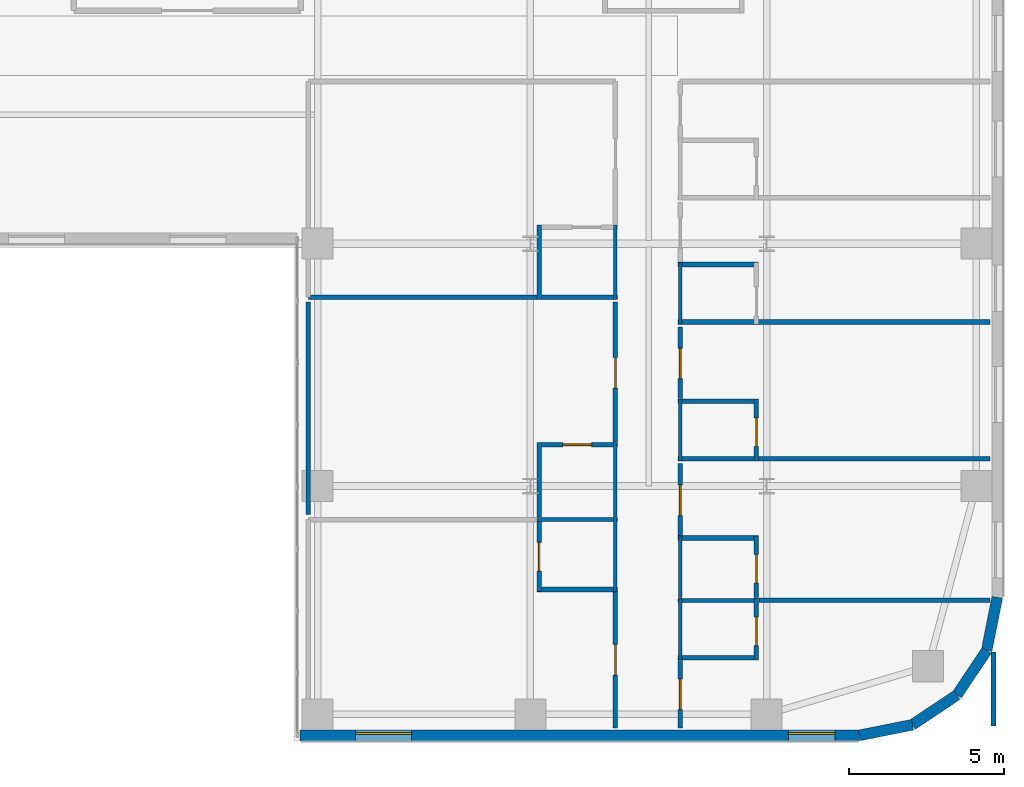
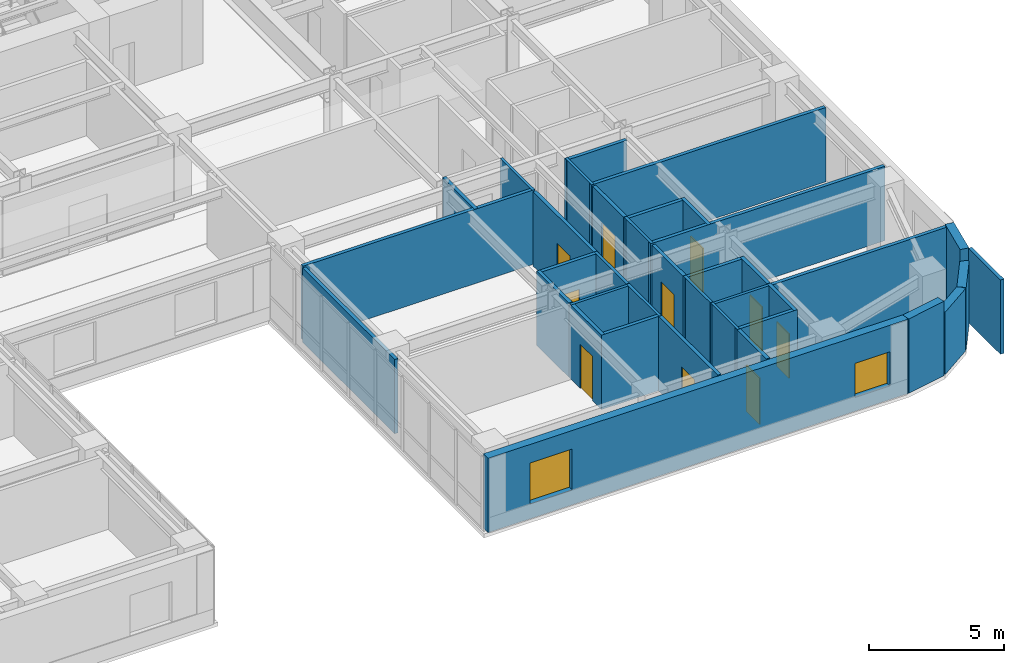
# One storey, part 16 of 25: 37 walls, 10 doors, 2 windows, 12 openings.
"""IFC4 building model written with IfcOpenShell, lengths in metres."""

import ifcopenshell
import ifcopenshell.guid

model = None  # the IFC model being written
_history = None  # IfcOwnerHistory: only IFC2X3 demands one
_inside = {}  # id of a spatial element -> (the spatial element, [elements in it])
_under = {}  # id of a project, library or spatial element -> (it, [spatial elements below it])
_declared = {}  # id of a project -> (the project, [libraries it declares])
_typed = {}  # id of a type object -> (the type object, [elements of that type])
_made_of = {}  # id of a material, layer set ... -> (it, [elements and type objects made of it])


def new_model(schema):
    """Start an empty IFC model of exactly this schema.

    Asked for "IFC4X3", IfcOpenShell would pick the latest addendum, in which some entities
    have other attributes; the version numbers below select the first issue.
    IFC2X3 requires an IfcOwnerHistory on every rooted entity: one is made here for all.
    """
    global model, _history
    if schema == "IFC4X3":
        model = ifcopenshell.file(schema_version=(4, 3, 0, 0))
    else:
        model = ifcopenshell.file(schema=schema)
    _inside.clear()
    _under.clear()
    _declared.clear()
    _typed.clear()
    _made_of.clear()
    _history = None
    if model.schema == "IFC2X3":
        org = make("IfcOrganization", Name="unknown")
        user = make(
            "IfcPersonAndOrganization",
            ThePerson=make("IfcPerson", FamilyName="unknown"),
            TheOrganization=org,
        )
        app = make(
            "IfcApplication",
            ApplicationDeveloper=org,
            Version="unknown",
            ApplicationFullName="unknown",
            ApplicationIdentifier="unknown",
        )
        _history = make(
            "IfcOwnerHistory",
            OwningUser=user,
            OwningApplication=app,
            ChangeAction="ADDED",
            CreationDate=0,
        )
    return model


def make(cls, **values):
    """One entity of the class cls with the attributes given. An attribute that is None is left unset."""
    return model.create_entity(
        cls, **{name: value for name, value in values.items() if value is not None}
    )


def rooted(cls, **values):
    """An entity with a GlobalId (a new one), such as an element, a storey or a relation."""
    return make(cls, GlobalId=ifcopenshell.guid.new(), OwnerHistory=_history, **values)


def si_unit(unit_type, name, prefix=None):
    """IfcSIUnit, for example si_unit("LENGTHUNIT", "METRE", prefix="MILLI")."""
    return make("IfcSIUnit", UnitType=unit_type, Prefix=prefix, Name=name)


def assignment(units):
    """IfcUnitAssignment: the units of a project."""
    return None if units is None else make("IfcUnitAssignment", Units=units)


def point(xyz):
    """IfcCartesianPoint."""
    return None if xyz is None else make("IfcCartesianPoint", Coordinates=xyz)


def direction(xyz):
    """IfcDirection."""
    return None if xyz is None else make("IfcDirection", DirectionRatios=xyz)


def frame(location, z_axis=None, x_axis=None):
    """IfcAxis2Placement3D, a coordinate frame: its origin and axes. An axis left out is left unset."""
    return make(
        "IfcAxis2Placement3D",
        Location=point(location),
        Axis=direction(z_axis),
        RefDirection=direction(x_axis),
    )


def frame_2d(location, x_axis=None):
    """IfcAxis2Placement2D, a coordinate frame in the plane: its origin and x axis."""
    return make(
        "IfcAxis2Placement2D", Location=point(location), RefDirection=direction(x_axis)
    )


def origin():
    """The frame at (0, 0, 0) with its axes left unset."""
    return frame((0.0, 0.0, 0.0))


def place(relative_to, where):
    """IfcLocalPlacement: puts the frame where relative to a parent placement (None: the world)."""
    return make(
        "IfcLocalPlacement", PlacementRelTo=relative_to, RelativePlacement=where
    )


def context(
    kind, dimensions, precision=None, world=None, true_north=None, identifier=None
):
    """IfcGeometricRepresentationContext, for example the 3D "Model" context."""
    return make(
        "IfcGeometricRepresentationContext",
        ContextIdentifier=identifier,
        ContextType=kind,
        CoordinateSpaceDimension=dimensions,
        Precision=precision,
        WorldCoordinateSystem=world,
        TrueNorth=true_north,
    )


def subcontext(parent, identifier, kind, view, scale=None):
    """IfcGeometricRepresentationSubContext, for example "Body" below "Model"."""
    return make(
        "IfcGeometricRepresentationSubContext",
        ContextIdentifier=identifier,
        ContextType=kind,
        ParentContext=parent,
        TargetScale=scale,
        TargetView=view,
    )


def project(units=None, contexts=None):
    """IfcProject with its units and contexts."""
    return rooted(
        "IfcProject",
        Name="project",
        RepresentationContexts=contexts,
        UnitsInContext=assignment(units),
    )


def spatial(cls, under=None, at=None, **own):
    """A site, building, storey or space (cls), placed at a placement, below another one or the project."""
    s = rooted(cls, ObjectPlacement=at, **own)
    if under is not None:
        _under.setdefault(under.id(), (under, []))[1].append(s)
    return s


def profile(cls, at=None, kind="AREA", **sizes):
    """A parametric profile (cls). Its sizes go by their IFC names, for example OverallWidth=200.0."""
    return make(cls, ProfileType=kind, Position=at, **sizes)


def rectangle(**sizes):
    """IfcRectangleProfileDef."""
    return profile("IfcRectangleProfileDef", **sizes)


def extrude(swept, where, along, depth):
    """IfcExtrudedAreaSolid: the profile swept, set in the frame where, extruded along a direction by depth."""
    return make(
        "IfcExtrudedAreaSolid",
        SweptArea=swept,
        Position=where,
        ExtrudedDirection=direction(along),
        Depth=depth,
    )


def shape(context_of_items, identifier, shape_type, items):
    """IfcShapeRepresentation: the items that make up one representation, for example the "Body"."""
    return make(
        "IfcShapeRepresentation",
        ContextOfItems=context_of_items,
        RepresentationIdentifier=identifier,
        RepresentationType=shape_type,
        Items=items,
    )


def source(mapping_origin, context_of_items, identifier, shape_type, items):
    """IfcRepresentationMap: a shape defined once, which mapped items show again and again."""
    return make(
        "IfcRepresentationMap",
        MappingOrigin=mapping_origin,
        MappedRepresentation=shape(context_of_items, identifier, shape_type, items),
    )


def transform(
    local_origin,
    x_axis=None,
    y_axis=None,
    z_axis=None,
    scale=None,
    scale2=None,
    scale3=None,
    uniform=True,
):
    """IfcCartesianTransformationOperator3D, or its non-uniform kind. x_axis, y_axis, z_axis: its Axis1, 2, 3."""
    if uniform:
        return make(
            "IfcCartesianTransformationOperator3D",
            Axis1=direction(x_axis),
            Axis2=direction(y_axis),
            LocalOrigin=point(local_origin),
            Scale=scale,
            Axis3=direction(z_axis),
        )
    return make(
        "IfcCartesianTransformationOperator3DnonUniform",
        Axis1=direction(x_axis),
        Axis2=direction(y_axis),
        LocalOrigin=point(local_origin),
        Scale=scale,
        Axis3=direction(z_axis),
        Scale2=scale2,
        Scale3=scale3,
    )


def mapped(mapping_source, mapping_target):
    """IfcMappedItem: shows the shape of a source again, moved by a transform."""
    return make(
        "IfcMappedItem", MappingSource=mapping_source, MappingTarget=mapping_target
    )


def material(Name=None, Category=None):
    """IfcMaterial."""
    return make("IfcMaterial", Name=Name, Category=Category)


def layer(
    of_material, thickness, ventilated=None, Name=None, Category=None, Priority=None
):
    """IfcMaterialLayer: one layer of a wall or slab, of a material (None: an air gap)."""
    return make(
        "IfcMaterialLayer",
        Material=of_material,
        LayerThickness=thickness,
        IsVentilated=ventilated,
        Name=Name,
        Category=Category,
        Priority=Priority,
    )


def layer_set(layers, Name=None):
    """IfcMaterialLayerSet."""
    return make("IfcMaterialLayerSet", MaterialLayers=layers, LayerSetName=Name)


def made_of(thing, what):
    """Note that an element or type object is made of a material, layer set ...; save() writes the relation."""
    if what is not None:
        _made_of.setdefault(what.id(), (what, []))[1].append(thing)
    return thing


def type_object(cls, material=None, **own):
    """A type object (cls), such as IfcWallType, which elements share."""
    return made_of(rooted(cls, **own), material)


def type_shapes(of_type, sources):
    """Give a type object the sources (RepresentationMaps) that its elements show as mapped items."""
    of_type.RepresentationMaps = sources


def element(
    cls,
    number,
    at=None,
    inside=None,
    cuts=None,
    type_object=None,
    material=None,
    context=None,
    identifier="Body",
    shape_type=None,
    held_by="IfcProductDefinitionShape",
    body=None,
    shapes=None,
    **own,
):
    """One element of the class cls, such as IfcWall. Its Tag is "e" and its number.

    at: its placement. inside: the storey or other place that contains it. cuts: it is an
    opening in that element (IfcRelVoidsElement). A single representation is given by context,
    identifier, shape_type and body (its items); several are given by shapes. held_by: the class
    of the entity that holds the representations. save() writes the other relations.
    """
    e = rooted(cls, Tag="e%d" % number, ObjectPlacement=at, **own)
    if body is not None:
        shapes = [shape(context, identifier, shape_type, body)]
    if shapes is not None:
        e.Representation = make(held_by, Representations=shapes)
    if inside is not None:
        _inside.setdefault(inside.id(), (inside, []))[1].append(e)
    if cuts is not None:
        rooted(
            "IfcRelVoidsElement", RelatingBuildingElement=cuts, RelatedOpeningElement=e
        )
    if type_object is not None:
        _typed.setdefault(type_object.id(), (type_object, []))[1].append(e)
    return made_of(e, material)


def fill(opening, filler):
    """IfcRelFillsElement: the door or window that sits in an opening."""
    return rooted(
        "IfcRelFillsElement",
        RelatingOpeningElement=opening,
        RelatedBuildingElement=filler,
    )


def aggregate(whole, parts):
    """IfcRelAggregates: a whole, such as a stair, and the parts it consists of."""
    return rooted("IfcRelAggregates", RelatingObject=whole, RelatedObjects=parts)


def save(model, path):
    """Write the relations noted so far, then the file.

    IfcRelAggregates (storeys below a building ...), IfcRelContainedInSpatialStructure (elements
    in a storey), IfcRelDefinesByType, IfcRelAssociatesMaterial and IfcRelDeclares: one each for
    every whole, place, type object, material and project.
    """
    for whole, parts in _under.values():
        aggregate(whole, parts)
    for where, things in _inside.values():
        rooted(
            "IfcRelContainedInSpatialStructure",
            RelatedElements=things,
            RelatingStructure=where,
        )
    for kind, things in _typed.values():
        rooted("IfcRelDefinesByType", RelatedObjects=things, RelatingType=kind)
    for what, things in _made_of.values():
        rooted("IfcRelAssociatesMaterial", RelatedObjects=things, RelatingMaterial=what)
    for by, libraries in _declared.values():
        rooted("IfcRelDeclares", RelatingContext=by, RelatedDefinitions=libraries)
    model.write(path)


model = new_model("IFC4")

# Units and contexts
model_context = context("Model", 3, precision=1e-05, world=origin(), true_north=direction((0.0, 1.0)))
body_context = subcontext(model_context, "Body", "Model", "MODEL_VIEW")
ifc_project = project(units=[si_unit("LENGTHUNIT", "METRE"), si_unit("AREAUNIT", "SQUARE_METRE"), si_unit("VOLUMEUNIT", "CUBIC_METRE"), si_unit("PLANEANGLEUNIT", "RADIAN"), si_unit("MASSUNIT", "GRAM", prefix="KILO")], contexts=[model_context])

# Site, building, storey
site_placement = place(None, origin())
site = spatial("IfcSite", under=ifc_project, at=site_placement, CompositionType="ELEMENT")
building_placement = place(site_placement, origin())
building = spatial("IfcBuilding", under=site, at=building_placement, Name="Tolvann Quenvar Hotel", CompositionType="ELEMENT")
storey_placement = place(building_placement, frame((0.0, 0.0, 39.10009765625)))
storey = spatial("IfcBuildingStorey", under=building, at=storey_placement, Name="L08", CompositionType="ELEMENT", Elevation=39.10009765625)

# Wall, openings, windows
ifc_material_1 = material(Name="Kiln-fired red and buff architectural clay brickwork and terracotta masonry", Category="masonry")
ifc_layer_1 = layer(ifc_material_1, 0.35009765625)
ifc_layer_set_1 = layer_set([ifc_layer_1], Name="Kiln-fired red and buff architectural clay brickwork and terracotta masonry")
wall_type_1 = type_object("IfcWallType", Name="WALL_EXT_BRICK_350", PredefinedType="SOLIDWALL", material=ifc_layer_set_1)
wall_1_placement = place(storey_placement, frame((34.375, 0.175048828125, 0.0), z_axis=(0.0, 0.0, 1.0), x_axis=(1.0, 0.0, 0.0)))
wall_1 = element("IfcWall", 1, at=wall_1_placement, inside=storey, type_object=wall_type_1, Name="Exterior Chicago Brick Wall L08-E08", PredefinedType="SOLIDWALL", context=body_context, shape_type="SweptSolid", body=[
    extrude(rectangle(XDim=18.0078125, YDim=0.35009765625, at=frame_2d((9.00390625, 0.0))), origin(), (0.0, 0.0, 1.0), 3.369873046875),
])
opening_1_placement = place(wall_1_placement, frame((1.801025390625, 0.0, 0.679931640625)))
opening_1 = element("IfcOpeningElement", 2, at=opening_1_placement, cuts=wall_1, Name="Opening W-03", PredefinedType="OPENING", context=body_context, shape_type="SweptSolid", body=[
    extrude(rectangle(XDim=1.800048828125, YDim=1.85009765625, at=frame_2d((0.89990234375, 0.925048828125))), frame((0.0, 0.18505859375, 0.0), z_axis=(0.0, -1.0, 0.0), x_axis=(1.0, 0.0, 0.0)), (0.0, 0.0, 1.0), 0.3701171875),
])
opening_2_placement = place(wall_1_placement, frame((15.72509765625, 0.0, 0.6201171875)))
opening_2 = element("IfcOpeningElement", 3, at=opening_2_placement, cuts=wall_1, Name="Opening W-08", PredefinedType="OPENING", context=body_context, shape_type="SweptSolid", body=[
    extrude(rectangle(XDim=1.5, YDim=1.550048828125, at=frame_2d((0.75, 0.77490234375))), frame((0.0, 0.18505859375, 0.0), z_axis=(0.0, -1.0, 0.0), x_axis=(1.0, 0.0, 0.0)), (0.0, 0.0, 1.0), 0.3701171875),
])
ifc_material_2 = material(Name="Thermally broken bronze-anodised aluminium frame with double low-E glazing", Category="aluminium")
window_type_1 = type_object("IfcWindowType", Name="WIN_COR_1500x2050", PartitioningType="SINGLE_PANEL", PredefinedType="WINDOW", material=ifc_material_2)
shared_shape_1 = source(origin(), body_context, "Body", "SweptSolid", [
    extrude(rectangle(XDim=1.5, YDim=1.550048828125, at=frame_2d((0.75, 0.77490234375))), frame((0.0, 0.090087890625, 0.0), z_axis=(0.0, -1.0, 0.0), x_axis=(1.0, 0.0, 0.0)), (0.0, 0.0, 1.0), 0.06005859375),
])
type_shapes(window_type_1, [shared_shape_1])
window_1_placement = place(opening_2_placement, origin())
window_1 = element("IfcWindow", 4, at=window_1_placement, inside=storey, type_object=window_type_1, Name="Chicago Window W-08 (EW-L08-E08-WD02)", OverallHeight=1.550048828125, OverallWidth=1.5, PartitioningType="SINGLE_PANEL", PredefinedType="WINDOW", context=body_context, shape_type="MappedRepresentation", body=[
    mapped(shared_shape_1, transform((0.0, 0.0, 0.0), x_axis=(1.0, 0.0, 0.0), y_axis=(0.0, 1.0, 0.0), z_axis=(0.0, 0.0, 1.0), scale=1.0)),
])
fill(opening_2, window_1)
window_type_2 = type_object("IfcWindowType", Name="WIN_CHI_1800x2050", PartitioningType="TRIPLE_PANEL_HORIZONTAL", PredefinedType="WINDOW", material=ifc_material_2)
shared_shape_2 = source(origin(), body_context, "Body", "SweptSolid", [
    extrude(rectangle(XDim=1.800048828125, YDim=1.85009765625, at=frame_2d((0.89990234375, 0.925048828125))), frame((0.0, 0.090087890625, 0.0), z_axis=(0.0, -1.0, 0.0), x_axis=(1.0, 0.0, 0.0)), (0.0, 0.0, 1.0), 0.06005859375),
])
type_shapes(window_type_2, [shared_shape_2])
window_2_placement = place(opening_1_placement, origin())
window_2 = element("IfcWindow", 5, at=window_2_placement, inside=storey, type_object=window_type_2, Name="Chicago Window W-03 (EW-L08-E08-W01)", OverallHeight=1.85009765625, OverallWidth=1.800048828125, PartitioningType="TRIPLE_PANEL_HORIZONTAL", PredefinedType="WINDOW", context=body_context, shape_type="MappedRepresentation", body=[
    mapped(shared_shape_2, transform((0.0, 0.0, 0.0), x_axis=(1.0, 0.0, 0.0), y_axis=(0.0, 1.0, 0.0), z_axis=(0.0, 0.0, 1.0), scale=1.0)),
])
fill(opening_1, window_2)

# Walls
wall_2_placement = place(storey_placement, frame((52.3828125, 0.175048828125, 0.0), z_axis=(0.0, 0.0, 1.0), x_axis=(0.980800971659, 0.195011420161, 0.0)))
element("IfcWall", 6, at=wall_2_placement, inside=storey, type_object=wall_type_1, Name="Exterior Chicago Brick Wall L08-E09", PredefinedType="SOLIDWALL", context=body_context, shape_type="SweptSolid", body=[
    extrude(rectangle(XDim=1.74267578125, YDim=0.35009765625, at=frame_2d((0.871337890625, 0.0))), origin(), (0.0, 0.0, 1.0), 3.369873046875),
])
for number, where, z_axis, x_axis, name in (
    (7, (54.092041015625, 0.514892578125, 0.0), (0.0, 0.0, 1.0), (0.831483840845, 0.55554893791, 0.0), "Exterior Chicago Brick Wall L08-E10"),
    (8, (55.526611328125, 1.473388671875, 0.0), (0.0, 0.0, 1.0), (0.55554893791, 0.831483840845, 0.0), "Exterior Chicago Brick Wall L08-E11"),
):
    element("IfcWall", number, at=place(storey_placement, frame(where, z_axis=z_axis, x_axis=x_axis)), inside=storey, type_object=wall_type_1, Name=name, PredefinedType="SOLIDWALL", context=body_context, shape_type="SweptSolid", body=[
        extrude(rectangle(XDim=1.725341796875, YDim=0.35009765625, at=frame_2d((0.86279296875, 0.0))), origin(), (0.0, 0.0, 1.0), 2.831787109375),
    ])
wall_3_placement = place(storey_placement, frame((56.485107421875, 2.907958984375, 0.0), z_axis=(0.0, 0.0, 1.0), x_axis=(0.195011420161, 0.980800971659, 0.0)))
element("IfcWall", 9, at=wall_3_placement, inside=storey, type_object=wall_type_1, Name="Exterior Chicago Brick Wall L08-E12", PredefinedType="SOLIDWALL", context=body_context, shape_type="SweptSolid", body=[
    extrude(rectangle(XDim=1.74267578125, YDim=0.35009765625, at=frame_2d((0.871337890625, 0.0))), origin(), (0.0, 0.0, 1.0), 3.369873046875),
])
ifc_material_3 = material(Name="Moisture-resistant acoustic plumbing wall assembly")
ifc_layer_2 = layer(ifc_material_3, 0.1201171875)
ifc_layer_set_2 = layer_set([ifc_layer_2], Name="Moisture-resistant acoustic plumbing wall assembly")
wall_type_2 = type_object("IfcWallType", Name="WALL_PART_BATH_120", PredefinedType="PLUMBINGWALL", material=ifc_layer_set_2)
wall_4_placement = place(storey_placement, frame((42.010009765625, 7.1201171875, 0.0), z_axis=(0.0, 0.0, 1.0), x_axis=(1.0, 0.0, 0.0)))
element("IfcWall", 10, at=wall_4_placement, inside=storey, type_object=wall_type_2, Name="Non-Rated Plumbing Partition PT-SPC-L08-ENS-EI01-N", PredefinedType="PLUMBINGWALL", context=body_context, shape_type="SweptSolid", body=[
    extrude(rectangle(XDim=2.590087890625, YDim=0.1201171875, at=frame_2d((1.294921875, 0.0))), origin(), (0.0, 0.0, 1.0), 3.369873046875),
])
wall_5_placement = place(storey_placement, frame((44.530029296875, 4.800048828125, 0.0), z_axis=(0.0, 0.0, 1.0), x_axis=(0.0, 1.0, 0.0)))
element("IfcWall", 11, at=wall_5_placement, inside=storey, type_object=wall_type_2, Name="Non-Rated Plumbing Partition PT-SPC-L08-ENS-EI01-E", PredefinedType="PLUMBINGWALL", context=body_context, shape_type="SweptSolid", body=[
    extrude(rectangle(XDim=2.389892578125, YDim=0.1201171875, at=frame_2d((1.19482421875, 0.0))), origin(), (0.0, 0.0, 1.0), 3.369873046875),
])
for number, where, z_axis, x_axis, name in (
    (12, (44.530029296875, 7.2099609375, 0.0), (0.0, 0.0, 1.0), (0.0, 1.0, 0.0), "Non-Rated Plumbing Partition PT-SPC-L08-ENS-EI02-E"),
    (13, (44.530029296875, 14.2099609375, 0.0), (0.0, 0.0, 1.0), (0.0, 1.0, 0.0), "Non-Rated Plumbing Partition PT-SPC-L08-ENS-EI03-E"),
):
    element("IfcWall", number, at=place(storey_placement, frame(where, z_axis=z_axis, x_axis=x_axis)), inside=storey, type_object=wall_type_2, Name=name, PredefinedType="PLUMBINGWALL", context=body_context, shape_type="SweptSolid", body=[
        extrude(rectangle(XDim=2.39013671875, YDim=0.1201171875, at=frame_2d((1.195068359375, 0.0))), origin(), (0.0, 0.0, 1.0), 3.369873046875),
    ])
wall_6_placement = place(storey_placement, frame((46.550048828125, 4.52001953125, 0.0), z_axis=(0.0, 0.0, 1.0), x_axis=(1.0, 0.0, 0.0)))
element("IfcWall", 14, at=wall_6_placement, inside=storey, type_object=wall_type_2, Name="Non-Rated Plumbing Partition PT-SPC-L08-ENS-EO01-N", PredefinedType="PLUMBINGWALL", context=body_context, shape_type="SweptSolid", body=[
    extrude(rectangle(XDim=2.58984375, YDim=0.1201171875, at=frame_2d((1.294921875, 0.0))), origin(), (0.0, 0.0, 1.0), 3.369873046875),
])
for number, where, z_axis, x_axis, name in (
    (15, (46.6201171875, 2.60009765625, 0.0), (0.0, 0.0, 1.0), (0.0, 1.0, 0.0), "Non-Rated Plumbing Partition PT-SPC-L08-ENS-EO01-W"),
    (16, (46.6201171875, 4.610107421875, 0.0), (0.0, 0.0, 1.0), (0.0, 1.0, 0.0), "Non-Rated Plumbing Partition PT-SPC-L08-ENS-EO02-W"),
    (17, (46.6201171875, 9.010009765625, 0.0), (0.0, 0.0, 1.0), (0.0, 1.0, 0.0), "Non-Rated Plumbing Partition PT-SPC-L08-ENS-EO03-W"),
    (18, (46.6201171875, 13.409912109375, 0.0), (0.0, 0.0, 1.0), (0.0, 1.0, 0.0), "Non-Rated Plumbing Partition PT-SPC-L08-ENS-EO04-W"),
):
    element("IfcWall", number, at=place(storey_placement, frame(where, z_axis=z_axis, x_axis=x_axis)), inside=storey, type_object=wall_type_2, Name=name, PredefinedType="PLUMBINGWALL", context=body_context, shape_type="SweptSolid", body=[
        extrude(rectangle(XDim=1.989990234375, YDim=0.1201171875, at=frame_2d((0.9951171875, 0.0))), origin(), (0.0, 0.0, 1.0), 3.369873046875),
    ])

# Wall, opening, door
ifc_material_4 = material(Name="Acoustic twin-stud fire-rated gypsum plasterboard partition")
ifc_layer_3 = layer(ifc_material_4, 0.14990234375)
ifc_layer_set_3 = layer_set([ifc_layer_3], Name="Acoustic twin-stud fire-rated gypsum plasterboard partition")
wall_type_3 = type_object("IfcWallType", Name="WALL_PART_SUITE_150", PredefinedType="PARTITIONING", material=ifc_layer_set_3)
wall_7_placement = place(storey_placement, frame((42.080078125, 4.800048828125, 0.0), z_axis=(0.0, 0.0, 1.0), x_axis=(0.0, 1.0, 0.0)))
wall_7 = element("IfcWall", 19, at=wall_7_placement, inside=storey, type_object=wall_type_3, Name="Interior Partition PT-SPC-L08-ENS-EI01-ENT", PredefinedType="PARTITIONING", context=body_context, shape_type="SweptSolid", body=[
    extrude(rectangle(XDim=2.389892578125, YDim=0.14990234375, at=frame_2d((1.19482421875, 0.0))), origin(), (0.0, 0.0, 1.0), 3.369873046875),
])
opening_3_placement = place(wall_7_placement, frame((0.6650390625, 0.0, 0.0)))
opening_3 = element("IfcOpeningElement", 20, at=opening_3_placement, cuts=wall_7, Name="Opening WD-01", PredefinedType="OPENING", context=body_context, shape_type="SweptSolid", body=[
    extrude(rectangle(XDim=0.919921875, YDim=2.010009765625, at=frame_2d((0.4599609375, 1.0048828125))), frame((0.0, 0.0849609375, 0.0), z_axis=(0.0, -1.0, 0.0), x_axis=(1.0, 0.0, 0.0)), (0.0, 0.0, 1.0), 0.169921875),
])
ifc_material_5 = material(Name="Solid-core American oak acoustic fire door leaf in steel frame", Category="steel")
door_type_1 = type_object("IfcDoorType", Name="DOOR_WC_920", OperationType="NOTDEFINED", PredefinedType="DOOR", material=ifc_material_5)
shared_shape_3 = source(origin(), body_context, "Body", "SweptSolid", [
    extrude(rectangle(XDim=0.919921875, YDim=2.010009765625, at=frame_2d((0.4599609375, 1.0048828125))), frame((0.0, 0.02490234375, 0.0), z_axis=(0.0, -1.0, 0.0), x_axis=(1.0, 0.0, 0.0)), (0.0, 0.0, 1.0), 0.050048828125),
])
type_shapes(door_type_1, [shared_shape_3])
door_1_placement = place(opening_3_placement, origin())
door_1 = element("IfcDoor", 21, at=door_1_placement, inside=storey, type_object=door_type_1, Name="Interior Door DOOR-SPC-L08-ENS-EI01", OperationType="SINGLE_SWING_RIGHT", OverallHeight=2.010009765625, OverallWidth=0.919921875, PredefinedType="DOOR", context=body_context, shape_type="MappedRepresentation", body=[
    mapped(shared_shape_3, transform((0.0, 0.0, 0.0), x_axis=(1.0, 0.0, 0.0), y_axis=(0.0, 1.0, 0.0), z_axis=(0.0, 0.0, 1.0), scale=1.0)),
])
fill(opening_3, door_1)

# Walls
wall_8_placement = place(storey_placement, frame((42.010009765625, 4.8701171875, 0.0), z_axis=(0.0, 0.0, 1.0), x_axis=(1.0, 0.0, 0.0)))
element("IfcWall", 22, at=wall_8_placement, inside=storey, type_object=wall_type_3, Name="Interior Partition PT-SPC-L08-ENS-EI01-S", PredefinedType="PARTITIONING", context=body_context, shape_type="SweptSolid", body=[
    extrude(rectangle(XDim=2.590087890625, YDim=0.14990234375, at=frame_2d((1.294921875, 0.0))), origin(), (0.0, 0.0, 1.0), 3.369873046875),
])
wall_9_placement = place(storey_placement, frame((42.080078125, 7.2099609375, 0.0), z_axis=(0.0, 0.0, 1.0), x_axis=(0.0, 1.0, 0.0)))
element("IfcWall", 23, at=wall_9_placement, inside=storey, type_object=wall_type_3, Name="Interior Partition PT-SPC-L08-ENS-EI02-ENT", PredefinedType="PARTITIONING", context=body_context, shape_type="SweptSolid", body=[
    extrude(rectangle(XDim=2.39013671875, YDim=0.14990234375, at=frame_2d((1.195068359375, 0.0))), origin(), (0.0, 0.0, 1.0), 3.369873046875),
])

# Wall, opening, door
wall_10_placement = place(storey_placement, frame((42.010009765625, 9.530029296875, 0.0), z_axis=(0.0, 0.0, 1.0), x_axis=(1.0, 0.0, 0.0)))
wall_10 = element("IfcWall", 24, at=wall_10_placement, inside=storey, type_object=wall_type_3, Name="Interior Partition PT-SPC-L08-ENS-EI02-N", PredefinedType="PARTITIONING", context=body_context, shape_type="SweptSolid", body=[
    extrude(rectangle(XDim=2.590087890625, YDim=0.14990234375, at=frame_2d((1.294921875, 0.0))), origin(), (0.0, 0.0, 1.0), 3.369873046875),
])
opening_4_placement = place(wall_10_placement, frame((0.8349609375, 0.0, 0.0)))
opening_4 = element("IfcOpeningElement", 25, at=opening_4_placement, cuts=wall_10, Name="Opening WD-01", PredefinedType="OPENING", context=body_context, shape_type="SweptSolid", body=[
    extrude(rectangle(XDim=0.919921875, YDim=2.010009765625, at=frame_2d((0.4599609375, 1.0048828125))), frame((0.0, 0.0849609375, 0.0), z_axis=(0.0, -1.0, 0.0), x_axis=(1.0, 0.0, 0.0)), (0.0, 0.0, 1.0), 0.169921875),
])
door_2_placement = place(opening_4_placement, origin())
door_2 = element("IfcDoor", 26, at=door_2_placement, inside=storey, type_object=door_type_1, Name="Interior Door DOOR-SPC-L08-ENS-EI02", OperationType="SINGLE_SWING_LEFT", OverallHeight=2.010009765625, OverallWidth=0.919921875, PredefinedType="DOOR", context=body_context, shape_type="MappedRepresentation", body=[
    mapped(shared_shape_3, transform((0.0, 0.0, 0.0), x_axis=(1.0, 0.0, 0.0), y_axis=(0.0, 1.0, 0.0), z_axis=(0.0, 0.0, 1.0), scale=1.0)),
])
fill(opening_4, door_2)

# Walls
wall_11_placement = place(storey_placement, frame((42.080078125, 14.2099609375, 0.0), z_axis=(0.0, 0.0, 1.0), x_axis=(0.0, 1.0, 0.0)))
element("IfcWall", 27, at=wall_11_placement, inside=storey, type_object=wall_type_3, Name="Interior Partition PT-SPC-L08-ENS-EI03-ENT", PredefinedType="PARTITIONING", context=body_context, shape_type="SweptSolid", body=[
    extrude(rectangle(XDim=2.39013671875, YDim=0.14990234375, at=frame_2d((1.195068359375, 0.0))), origin(), (0.0, 0.0, 1.0), 3.369873046875),
])
wall_12_placement = place(storey_placement, frame((34.64990234375, 14.280029296875, 0.0), z_axis=(0.0, 0.0, 1.0), x_axis=(1.0, 0.0, 0.0)))
element("IfcWall", 28, at=wall_12_placement, inside=storey, type_object=wall_type_3, Name="Interior Partition PT-SPC-L08-ENS-EI03-S", PredefinedType="PARTITIONING", context=body_context, shape_type="SweptSolid", body=[
    extrude(rectangle(XDim=9.9501953125, YDim=0.14990234375, at=frame_2d((4.97509765625, 0.0))), origin(), (0.0, 0.0, 1.0), 3.369873046875),
])

# Wall, opening, door
wall_13_placement = place(storey_placement, frame((49.070068359375, 2.60009765625, 0.0), z_axis=(0.0, 0.0, 1.0), x_axis=(0.0, 1.0, 0.0)))
wall_13 = element("IfcWall", 29, at=wall_13_placement, inside=storey, type_object=wall_type_3, Name="Interior Partition PT-SPC-L08-ENS-EO01-ENT", PredefinedType="PARTITIONING", context=body_context, shape_type="SweptSolid", body=[
    extrude(rectangle(XDim=1.989990234375, YDim=0.14990234375, at=frame_2d((0.9951171875, 0.0))), origin(), (0.0, 0.0, 1.0), 3.369873046875),
])
opening_5_placement = place(wall_13_placement, frame((0.465087890625, 0.0, 0.0)))
opening_5 = element("IfcOpeningElement", 30, at=opening_5_placement, cuts=wall_13, Name="Opening WD-01", PredefinedType="OPENING", context=body_context, shape_type="SweptSolid", body=[
    extrude(rectangle(XDim=0.919921875, YDim=2.010009765625, at=frame_2d((0.4599609375, 1.0048828125))), frame((0.0, 0.0849609375, 0.0), z_axis=(0.0, -1.0, 0.0), x_axis=(1.0, 0.0, 0.0)), (0.0, 0.0, 1.0), 0.169921875),
])
door_3_placement = place(opening_5_placement, origin())
door_3 = element("IfcDoor", 31, at=door_3_placement, inside=storey, type_object=door_type_1, Name="Interior Door DOOR-SPC-L08-ENS-EO01", OperationType="SINGLE_SWING_LEFT", OverallHeight=2.010009765625, OverallWidth=0.919921875, PredefinedType="DOOR", context=body_context, shape_type="MappedRepresentation", body=[
    mapped(shared_shape_3, transform((0.0, 0.0, 0.0), x_axis=(1.0, 0.0, 0.0), y_axis=(0.0, 1.0, 0.0), z_axis=(0.0, 0.0, 1.0), scale=1.0)),
])
fill(opening_5, door_3)

# Wall
wall_14_placement = place(storey_placement, frame((46.550048828125, 2.669921875, 0.0), z_axis=(0.0, 0.0, 1.0), x_axis=(1.0, 0.0, 0.0)))
element("IfcWall", 32, at=wall_14_placement, inside=storey, type_object=wall_type_3, Name="Interior Partition PT-SPC-L08-ENS-EO01-S", PredefinedType="PARTITIONING", context=body_context, shape_type="SweptSolid", body=[
    extrude(rectangle(XDim=2.58984375, YDim=0.14990234375, at=frame_2d((1.294921875, 0.0))), origin(), (0.0, 0.0, 1.0), 3.369873046875),
])

# Wall, opening, door
wall_15_placement = place(storey_placement, frame((49.070068359375, 4.610107421875, 0.0), z_axis=(0.0, 0.0, 1.0), x_axis=(0.0, 1.0, 0.0)))
wall_15 = element("IfcWall", 33, at=wall_15_placement, inside=storey, type_object=wall_type_3, Name="Interior Partition PT-SPC-L08-ENS-EO02-ENT", PredefinedType="PARTITIONING", context=body_context, shape_type="SweptSolid", body=[
    extrude(rectangle(XDim=1.989990234375, YDim=0.14990234375, at=frame_2d((0.9951171875, 0.0))), origin(), (0.0, 0.0, 1.0), 3.369873046875),
])
opening_6_placement = place(wall_15_placement, frame((0.465087890625, 0.0, 0.0)))
opening_6 = element("IfcOpeningElement", 34, at=opening_6_placement, cuts=wall_15, Name="Opening WD-01", PredefinedType="OPENING", context=body_context, shape_type="SweptSolid", body=[
    extrude(rectangle(XDim=0.919921875, YDim=2.010009765625, at=frame_2d((0.4599609375, 1.0048828125))), frame((0.0, 0.0849609375, 0.0), z_axis=(0.0, -1.0, 0.0), x_axis=(1.0, 0.0, 0.0)), (0.0, 0.0, 1.0), 0.169921875),
])
door_4_placement = place(opening_6_placement, origin())
door_4 = element("IfcDoor", 35, at=door_4_placement, inside=storey, type_object=door_type_1, Name="Interior Door DOOR-SPC-L08-ENS-EO02", OperationType="SINGLE_SWING_RIGHT", OverallHeight=2.010009765625, OverallWidth=0.919921875, PredefinedType="DOOR", context=body_context, shape_type="MappedRepresentation", body=[
    mapped(shared_shape_3, transform((0.0, 0.0, 0.0), x_axis=(1.0, 0.0, 0.0), y_axis=(0.0, 1.0, 0.0), z_axis=(0.0, 0.0, 1.0), scale=1.0)),
])
fill(opening_6, door_4)

# Wall
wall_16_placement = place(storey_placement, frame((46.550048828125, 6.530029296875, 0.0), z_axis=(0.0, 0.0, 1.0), x_axis=(1.0, 0.0, 0.0)))
element("IfcWall", 36, at=wall_16_placement, inside=storey, type_object=wall_type_3, Name="Interior Partition PT-SPC-L08-ENS-EO02-N", PredefinedType="PARTITIONING", context=body_context, shape_type="SweptSolid", body=[
    extrude(rectangle(XDim=2.58984375, YDim=0.14990234375, at=frame_2d((1.294921875, 0.0))), origin(), (0.0, 0.0, 1.0), 3.369873046875),
])

# Wall, opening, door
wall_17_placement = place(storey_placement, frame((49.070068359375, 9.010009765625, 0.0), z_axis=(0.0, 0.0, 1.0), x_axis=(0.0, 1.0, 0.0)))
wall_17 = element("IfcWall", 37, at=wall_17_placement, inside=storey, type_object=wall_type_3, Name="Interior Partition PT-SPC-L08-ENS-EO03-ENT", PredefinedType="PARTITIONING", context=body_context, shape_type="SweptSolid", body=[
    extrude(rectangle(XDim=1.989990234375, YDim=0.14990234375, at=frame_2d((0.9951171875, 0.0))), origin(), (0.0, 0.0, 1.0), 3.369873046875),
])
opening_7_placement = place(wall_17_placement, frame((0.465087890625, 0.0, 0.0)))
opening_7 = element("IfcOpeningElement", 38, at=opening_7_placement, cuts=wall_17, Name="Opening WD-01", PredefinedType="OPENING", context=body_context, shape_type="SweptSolid", body=[
    extrude(rectangle(XDim=0.919921875, YDim=2.010009765625, at=frame_2d((0.4599609375, 1.0048828125))), frame((0.0, 0.0849609375, 0.0), z_axis=(0.0, -1.0, 0.0), x_axis=(1.0, 0.0, 0.0)), (0.0, 0.0, 1.0), 0.169921875),
])
door_5_placement = place(opening_7_placement, origin())
door_5 = element("IfcDoor", 39, at=door_5_placement, inside=storey, type_object=door_type_1, Name="Interior Door DOOR-SPC-L08-ENS-EO03", OperationType="SINGLE_SWING_LEFT", OverallHeight=2.010009765625, OverallWidth=0.919921875, PredefinedType="DOOR", context=body_context, shape_type="MappedRepresentation", body=[
    mapped(shared_shape_3, transform((0.0, 0.0, 0.0), x_axis=(1.0, 0.0, 0.0), y_axis=(0.0, 1.0, 0.0), z_axis=(0.0, 0.0, 1.0), scale=1.0)),
])
fill(opening_7, door_5)

# Walls
wall_18_placement = place(storey_placement, frame((46.550048828125, 9.080078125, 0.0), z_axis=(0.0, 0.0, 1.0), x_axis=(1.0, 0.0, 0.0)))
element("IfcWall", 40, at=wall_18_placement, inside=storey, type_object=wall_type_3, Name="Interior Partition PT-SPC-L08-ENS-EO03-S", PredefinedType="PARTITIONING", context=body_context, shape_type="SweptSolid", body=[
    extrude(rectangle(XDim=10.044921875, YDim=0.14990234375, at=frame_2d((5.0224609375, 0.0))), origin(), (0.0, 0.0, 1.0), 3.369873046875),
])
wall_19_placement = place(storey_placement, frame((46.550048828125, 10.929931640625, 0.0), z_axis=(0.0, 0.0, 1.0), x_axis=(1.0, 0.0, 0.0)))
element("IfcWall", 41, at=wall_19_placement, inside=storey, type_object=wall_type_3, Name="Interior Partition PT-SPC-L08-ENS-EO03-N", PredefinedType="PARTITIONING", context=body_context, shape_type="SweptSolid", body=[
    extrude(rectangle(XDim=2.58984375, YDim=0.14990234375, at=frame_2d((1.294921875, 0.0))), origin(), (0.0, 0.0, 1.0), 3.369873046875),
])
wall_20_placement = place(storey_placement, frame((46.550048828125, 13.47998046875, 0.0), z_axis=(0.0, 0.0, 1.0), x_axis=(1.0, 0.0, 0.0)))
element("IfcWall", 42, at=wall_20_placement, inside=storey, type_object=wall_type_3, Name="Interior Partition PT-SPC-L08-ENS-EO04-S", PredefinedType="PARTITIONING", context=body_context, shape_type="SweptSolid", body=[
    extrude(rectangle(XDim=10.044921875, YDim=0.14990234375, at=frame_2d((5.0224609375, 0.0))), origin(), (0.0, 0.0, 1.0), 3.369873046875),
])
wall_21_placement = place(storey_placement, frame((46.550048828125, 15.330078125, 0.0), z_axis=(0.0, 0.0, 1.0), x_axis=(1.0, 0.0, 0.0)))
element("IfcWall", 43, at=wall_21_placement, inside=storey, type_object=wall_type_3, Name="Interior Partition PT-SPC-L08-ENS-EO04-N", PredefinedType="PARTITIONING", context=body_context, shape_type="SweptSolid", body=[
    extrude(rectangle(XDim=2.58984375, YDim=0.14990234375, at=frame_2d((1.294921875, 0.0))), origin(), (0.0, 0.0, 1.0), 3.369873046875),
])

# Wall, opening, door
wall_22_placement = place(storey_placement, frame((44.530029296875, 0.405029296875, 0.0), z_axis=(0.0, 0.0, 1.0), x_axis=(0.0, 1.0, 0.0)))
wall_22 = element("IfcWall", 44, at=wall_22_placement, inside=storey, type_object=wall_type_3, Name="Interior Partition PT-SPC-L08-RM-EI01-ENT", PredefinedType="PARTITIONING", context=body_context, shape_type="SweptSolid", body=[
    extrude(rectangle(XDim=4.385009765625, YDim=0.14990234375, at=frame_2d((2.1923828125, 0.0))), origin(), (0.0, 0.0, 1.0), 3.369873046875),
])
opening_8_placement = place(wall_22_placement, frame((1.7099609375, 0.0, 0.0)))
opening_8 = element("IfcOpeningElement", 45, at=opening_8_placement, cuts=wall_22, Name="Opening SD-01", PredefinedType="OPENING", context=body_context, shape_type="SweptSolid", body=[
    extrude(rectangle(XDim=0.97998046875, YDim=2.1201171875, at=frame_2d((0.489990234375, 1.06005859375))), frame((0.0, 0.0849609375, 0.0), z_axis=(0.0, -1.0, 0.0), x_axis=(1.0, 0.0, 0.0)), (0.0, 0.0, 1.0), 0.169921875),
])
door_type_2 = type_object("IfcDoorType", Name="DOOR_SUITE_980", OperationType="NOTDEFINED", PredefinedType="DOOR", material=ifc_material_5)
shared_shape_4 = source(origin(), body_context, "Body", "SweptSolid", [
    extrude(rectangle(XDim=0.97998046875, YDim=2.1201171875, at=frame_2d((0.489990234375, 1.06005859375))), frame((0.0, 0.02490234375, 0.0), z_axis=(0.0, -1.0, 0.0), x_axis=(1.0, 0.0, 0.0)), (0.0, 0.0, 1.0), 0.050048828125),
])
type_shapes(door_type_2, [shared_shape_4])
door_6_placement = place(opening_8_placement, origin())
door_6 = element("IfcDoor", 46, at=door_6_placement, inside=storey, type_object=door_type_2, Name="Interior Door DOOR-SPC-L08-RM-EI01", OperationType="SINGLE_SWING_RIGHT", OverallHeight=2.1201171875, OverallWidth=0.97998046875, PredefinedType="DOOR", context=body_context, shape_type="MappedRepresentation", body=[
    mapped(shared_shape_4, transform((0.0, 0.0, 0.0), x_axis=(1.0, 0.0, 0.0), y_axis=(0.0, 1.0, 0.0), z_axis=(0.0, 0.0, 1.0), scale=1.0)),
])
fill(opening_8, door_6)

wall_23_placement = place(storey_placement, frame((44.530029296875, 9.610107421875, 0.0), z_axis=(0.0, 0.0, 1.0), x_axis=(0.0, 1.0, 0.0)))
wall_23 = element("IfcWall", 47, at=wall_23_placement, inside=storey, type_object=wall_type_3, Name="Interior Partition PT-SPC-L08-RM-EI02-ENT", PredefinedType="PARTITIONING", context=body_context, shape_type="SweptSolid", body=[
    extrude(rectangle(XDim=4.510009765625, YDim=0.14990234375, at=frame_2d((2.2548828125, 0.0))), origin(), (0.0, 0.0, 1.0), 3.369873046875),
])
opening_9_placement = place(wall_23_placement, frame((1.7451171875, 0.0, 0.0)))
opening_9 = element("IfcOpeningElement", 48, at=opening_9_placement, cuts=wall_23, Name="Opening SD-01", PredefinedType="OPENING", context=body_context, shape_type="SweptSolid", body=[
    extrude(rectangle(XDim=0.97998046875, YDim=2.1201171875, at=frame_2d((0.489990234375, 1.06005859375))), frame((0.0, 0.0849609375, 0.0), z_axis=(0.0, -1.0, 0.0), x_axis=(1.0, 0.0, 0.0)), (0.0, 0.0, 1.0), 0.169921875),
])
door_7_placement = place(opening_9_placement, origin())
door_7 = element("IfcDoor", 49, at=door_7_placement, inside=storey, type_object=door_type_2, Name="Interior Door DOOR-SPC-L08-RM-EI02", OperationType="SINGLE_SWING_LEFT", OverallHeight=2.1201171875, OverallWidth=0.97998046875, PredefinedType="DOOR", context=body_context, shape_type="MappedRepresentation", body=[
    mapped(shared_shape_4, transform((0.0, 0.0, 0.0), x_axis=(1.0, 0.0, 0.0), y_axis=(0.0, 1.0, 0.0), z_axis=(0.0, 0.0, 1.0), scale=1.0)),
])
fill(opening_9, door_7)

# Wall
wall_24_placement = place(storey_placement, frame((34.64990234375, 7.280029296875, 0.0), z_axis=(0.0, 0.0, 1.0), x_axis=(0.0, 1.0, 0.0)))
element("IfcWall", 50, at=wall_24_placement, inside=storey, type_object=wall_type_3, Name="Interior Partition PT-SPC-L08-RM-EI02-E6", PredefinedType="PARTITIONING", context=body_context, shape_type="SweptSolid", body=[
    extrude(rectangle(XDim=6.840087890625, YDim=0.14990234375, at=frame_2d((3.419921875, 0.0))), origin(), (0.0, 0.0, 1.0), 3.369873046875),
])

# Wall, opening, door
wall_25_placement = place(storey_placement, frame((46.6201171875, 0.405029296875, 0.0), z_axis=(0.0, 0.0, 1.0), x_axis=(0.0, 1.0, 0.0)))
wall_25 = element("IfcWall", 51, at=wall_25_placement, inside=storey, type_object=wall_type_3, Name="Interior Partition PT-SPC-L08-RM-EO01-ENT", PredefinedType="PARTITIONING", context=body_context, shape_type="SweptSolid", body=[
    extrude(rectangle(XDim=2.18505859375, YDim=0.14990234375, at=frame_2d((1.092529296875, 0.0))), origin(), (0.0, 0.0, 1.0), 3.369873046875),
])
opening_10_placement = place(wall_25_placement, frame((0.610107421875, 0.0, 0.0)))
opening_10 = element("IfcOpeningElement", 52, at=opening_10_placement, cuts=wall_25, Name="Opening SD-01", PredefinedType="OPENING", context=body_context, shape_type="SweptSolid", body=[
    extrude(rectangle(XDim=0.97998046875, YDim=2.1201171875, at=frame_2d((0.489990234375, 1.06005859375))), frame((0.0, 0.0849609375, 0.0), z_axis=(0.0, -1.0, 0.0), x_axis=(1.0, 0.0, 0.0)), (0.0, 0.0, 1.0), 0.169921875),
])
door_8_placement = place(opening_10_placement, origin())
door_8 = element("IfcDoor", 53, at=door_8_placement, inside=storey, type_object=door_type_2, Name="Interior Door DOOR-SPC-L08-RM-EO01", OperationType="SINGLE_SWING_LEFT", OverallHeight=2.1201171875, OverallWidth=0.97998046875, PredefinedType="DOOR", context=body_context, shape_type="MappedRepresentation", body=[
    mapped(shared_shape_4, transform((0.0, 0.0, 0.0), x_axis=(1.0, 0.0, 0.0), y_axis=(0.0, 1.0, 0.0), z_axis=(0.0, 0.0, 1.0), scale=1.0)),
])
fill(opening_10, door_8)

# Walls
wall_26_placement = place(storey_placement, frame((56.699951171875, 0.47998046875, 0.0), z_axis=(0.0, 0.0, 1.0), x_axis=(0.0, 1.0, 0.0)))
element("IfcWall", 54, at=wall_26_placement, inside=storey, type_object=wall_type_3, Name="Interior Partition PT-SPC-L08-RM-EO01-E2", PredefinedType="PARTITIONING", context=body_context, shape_type="SweptSolid", body=[
    extrude(rectangle(XDim=2.385009765625, YDim=0.14990234375, at=frame_2d((1.1923828125, 0.0))), origin(), (0.0, 0.0, 1.0), 3.369873046875),
])
wall_27_placement = place(storey_placement, frame((49.14990234375, 4.52001953125, 0.0), z_axis=(0.0, 0.0, 1.0), x_axis=(1.0, 0.0, 0.0)))
element("IfcWall", 55, at=wall_27_placement, inside=storey, type_object=wall_type_3, Name="Interior Partition PT-SPC-L08-RM-EO01-E3", PredefinedType="PARTITIONING", context=body_context, shape_type="SweptSolid", body=[
    extrude(rectangle(XDim=7.445068359375, YDim=0.14990234375, at=frame_2d((3.72265625, 0.0))), origin(), (0.0, 0.0, 1.0), 3.369873046875),
])

# Wall, opening, door
wall_28_placement = place(storey_placement, frame((46.6201171875, 6.610107421875, 0.0), z_axis=(0.0, 0.0, 1.0), x_axis=(0.0, 1.0, 0.0)))
wall_28 = element("IfcWall", 56, at=wall_28_placement, inside=storey, type_object=wall_type_3, Name="Interior Partition PT-SPC-L08-RM-EO02-ENT", PredefinedType="PARTITIONING", context=body_context, shape_type="SweptSolid", body=[
    extrude(rectangle(XDim=2.309814453125, YDim=0.14990234375, at=frame_2d((1.15478515625, 0.0))), origin(), (0.0, 0.0, 1.0), 3.369873046875),
])
opening_11_placement = place(wall_28_placement, frame((0.64501953125, 0.0, 0.0)))
opening_11 = element("IfcOpeningElement", 57, at=opening_11_placement, cuts=wall_28, Name="Opening SD-01", PredefinedType="OPENING", context=body_context, shape_type="SweptSolid", body=[
    extrude(rectangle(XDim=0.97998046875, YDim=2.1201171875, at=frame_2d((0.489990234375, 1.06005859375))), frame((0.0, 0.0849609375, 0.0), z_axis=(0.0, -1.0, 0.0), x_axis=(1.0, 0.0, 0.0)), (0.0, 0.0, 1.0), 0.169921875),
])
door_9_placement = place(opening_11_placement, origin())
door_9 = element("IfcDoor", 58, at=door_9_placement, inside=storey, type_object=door_type_2, Name="Interior Door DOOR-SPC-L08-RM-EO02", OperationType="SINGLE_SWING_RIGHT", OverallHeight=2.1201171875, OverallWidth=0.97998046875, PredefinedType="DOOR", context=body_context, shape_type="MappedRepresentation", body=[
    mapped(shared_shape_4, transform((0.0, 0.0, 0.0), x_axis=(1.0, 0.0, 0.0), y_axis=(0.0, 1.0, 0.0), z_axis=(0.0, 0.0, 1.0), scale=1.0)),
])
fill(opening_11, door_9)

wall_29_placement = place(storey_placement, frame((46.6201171875, 11.010009765625, 0.0), z_axis=(0.0, 0.0, 1.0), x_axis=(0.0, 1.0, 0.0)))
wall_29 = element("IfcWall", 59, at=wall_29_placement, inside=storey, type_object=wall_type_3, Name="Interior Partition PT-SPC-L08-RM-EO03-ENT", PredefinedType="PARTITIONING", context=body_context, shape_type="SweptSolid", body=[
    extrude(rectangle(XDim=2.31005859375, YDim=0.14990234375, at=frame_2d((1.155029296875, 0.0))), origin(), (0.0, 0.0, 1.0), 3.369873046875),
])
opening_12_placement = place(wall_29_placement, frame((0.64501953125, 0.0, 0.0)))
opening_12 = element("IfcOpeningElement", 60, at=opening_12_placement, cuts=wall_29, Name="Opening SD-01", PredefinedType="OPENING", context=body_context, shape_type="SweptSolid", body=[
    extrude(rectangle(XDim=0.97998046875, YDim=2.1201171875, at=frame_2d((0.489990234375, 1.06005859375))), frame((0.0, 0.0849609375, 0.0), z_axis=(0.0, -1.0, 0.0), x_axis=(1.0, 0.0, 0.0)), (0.0, 0.0, 1.0), 0.169921875),
])
door_10_placement = place(opening_12_placement, origin())
door_10 = element("IfcDoor", 61, at=door_10_placement, inside=storey, type_object=door_type_2, Name="Interior Door DOOR-SPC-L08-RM-EO03", OperationType="SINGLE_SWING_LEFT", OverallHeight=2.1201171875, OverallWidth=0.97998046875, PredefinedType="DOOR", context=body_context, shape_type="MappedRepresentation", body=[
    mapped(shared_shape_4, transform((0.0, 0.0, 0.0), x_axis=(1.0, 0.0, 0.0), y_axis=(0.0, 1.0, 0.0), z_axis=(0.0, 0.0, 1.0), scale=1.0)),
])
fill(opening_12, door_10)

save(model, "model.ifc")
